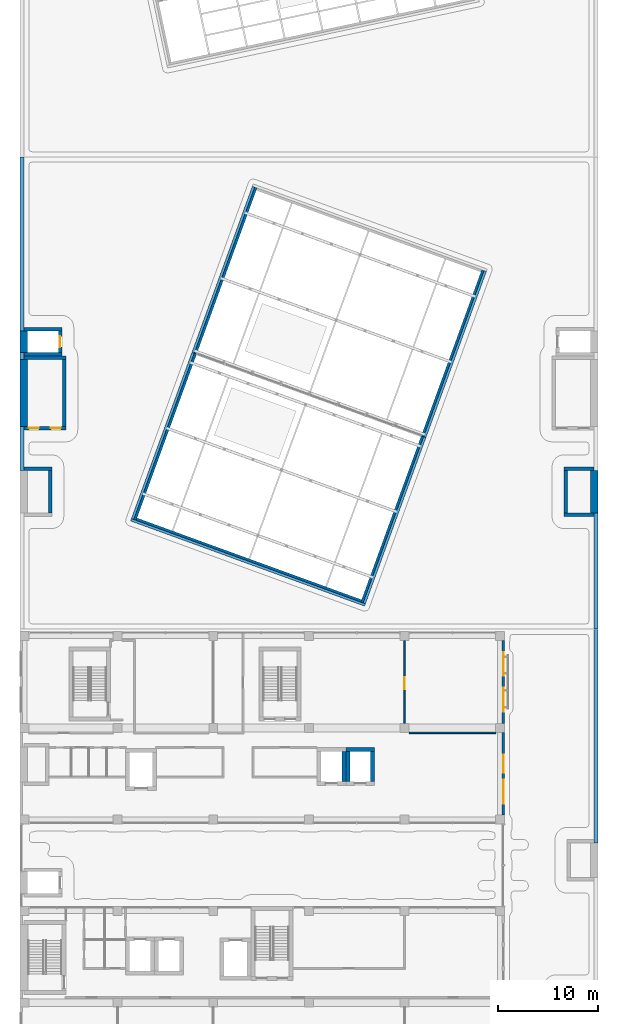
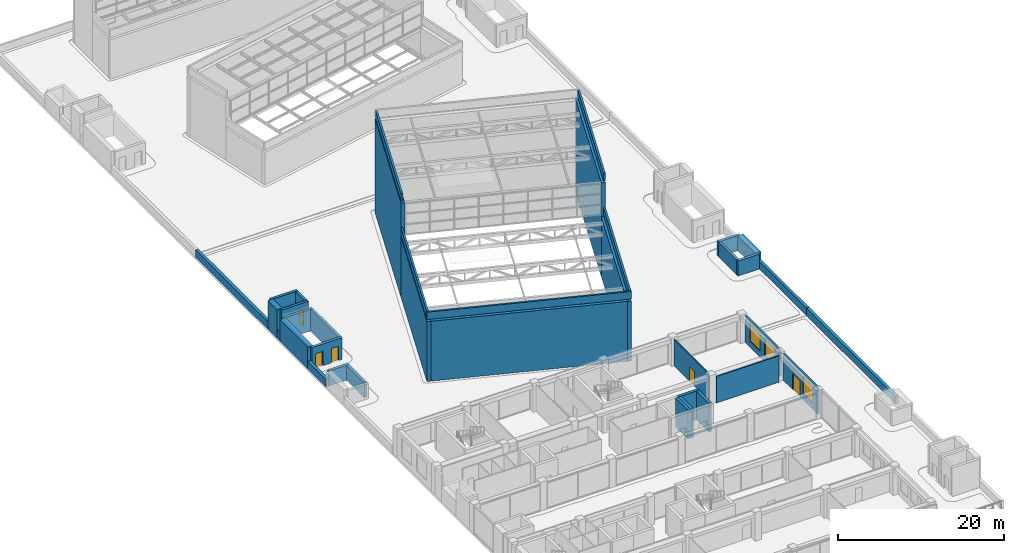
# One storey, part 62 of 72: 37 walls, 5 doors, 3 windows, 8 openings.
"""IFC4 building model written with IfcOpenShell, lengths in metres."""

from ifc_helpers import new_model, si_unit, direction, frame, frame_2d, origin, place, context, subcontext, project, spatial, rectangle, extrude, material, layer, layer_set, layer_usage, type_object, element, fill, save


model = new_model("IFC4")

# Units and contexts
model_context = context("Model", 3, precision=1e-05, world=origin(), true_north=direction((0.0, 1.0)))
body_context = subcontext(model_context, "Body", "Model", "MODEL_VIEW")
ifc_project = project(units=[si_unit("LENGTHUNIT", "METRE"), si_unit("AREAUNIT", "SQUARE_METRE"), si_unit("VOLUMEUNIT", "CUBIC_METRE"), si_unit("PLANEANGLEUNIT", "RADIAN"), si_unit("MASSUNIT", "GRAM", prefix="KILO")], contexts=[model_context])

# Site, building, storey
site_placement = place(None, origin())
site = spatial("IfcSite", under=ifc_project, at=site_placement, CompositionType="ELEMENT")
building_placement = place(site_placement, origin())
building = spatial("IfcBuilding", under=site, at=building_placement, Name="Nzadi Deep Aquarium and Research Tower", CompositionType="ELEMENT")
storey_placement = place(building_placement, frame((0.0, 0.0, 31.89990234375)))
storey = spatial("IfcBuildingStorey", under=building, at=storey_placement, Name="L05", CompositionType="ELEMENT", Elevation=31.89990234375)

# Wall, openings, windows
ifc_material_1 = material(Name="Concrete C35/45", Category="concrete")
ifc_layer_1 = layer(ifc_material_1, 0.14990234375, Category="cladding")
ifc_material_2 = material(Name="Mineral wool insulation")
ifc_layer_2 = layer(ifc_material_2, 0.070068359375, Category="insulation")
ifc_material_3 = material(Name="Gypsum board lining")
ifc_layer_3 = layer(ifc_material_3, 0.030029296875, Category="lining")
ifc_layer_set_1 = layer_set([ifc_layer_1, ifc_layer_2, ifc_layer_3], Name="Concrete C35/45, Mineral wool insulation, Gypsum board lining")
ifc_layer_usage_1 = layer_usage(ifc_layer_set_1, "AXIS2", "POSITIVE", -0.125)
wall_type_1 = type_object("IfcWallType", Name="End wall board-formed concrete 250", PredefinedType="ELEMENTEDWALL", material=ifc_layer_set_1)
wall_1_placement = place(storey_placement, frame((48.324951171875, 37.25, 0.0), z_axis=(0.0, 0.0, 1.0), x_axis=(0.0, 1.0, 0.0)))
wall_1 = element("IfcWall", 1, at=wall_1_placement, inside=storey, type_object=wall_type_1, material=ifc_layer_usage_1, Name="End wall blade B east L05", PredefinedType="ELEMENTEDWALL", context=body_context, shape_type="SweptSolid", body=[
    extrude(rectangle(XDim=8.300048828125, YDim=0.25, at=frame_2d((4.14990234375, 0.0))), origin(), (0.0, 0.0, 1.0), 3.900146484375),
])
opening_1_placement = place(wall_1_placement, frame((1.14990234375, 0.0, 0.89990234375)))
opening_1 = element("IfcOpeningElement", 2, at=opening_1_placement, cuts=wall_1, Name="Opening WN07", PredefinedType="OPENING", context=body_context, shape_type="SweptSolid", body=[
    extrude(rectangle(XDim=2.39990234375, YDim=2.60009765625, at=frame_2d((1.199951171875, 1.300048828125))), frame((0.0, 0.135009765625, 0.0), z_axis=(0.0, -1.0, 0.0), x_axis=(1.0, 0.0, 0.0)), (0.0, 0.0, 1.0), 0.27001953125),
])
opening_2_placement = place(wall_1_placement, frame((4.75, 0.0, 0.89990234375)))
opening_2 = element("IfcOpeningElement", 3, at=opening_2_placement, cuts=wall_1, Name="Opening WN07", PredefinedType="OPENING", context=body_context, shape_type="SweptSolid", body=[
    extrude(rectangle(XDim=2.39990234375, YDim=2.60009765625, at=frame_2d((1.199951171875, 1.300048828125))), frame((0.0, 0.135009765625, 0.0), z_axis=(0.0, -1.0, 0.0), x_axis=(1.0, 0.0, 0.0)), (0.0, 0.0, 1.0), 0.27001953125),
])
ifc_material_4 = material(Name="Aluminium window, sage tint glazing", Category="aluminium")
window_type = type_object("IfcWindowType", Name="Slot window 2400x2600 sill 900", PartitioningType="SINGLE_PANEL", PredefinedType="WINDOW", material=ifc_material_4)
window_1_placement = place(opening_1_placement, origin())
window_1 = element("IfcWindow", 4, at=window_1_placement, inside=storey, type_object=window_type, Name="Slot window L05 BE", OverallHeight=2.60009765625, OverallWidth=2.39990234375, PartitioningType="SINGLE_PANEL", PredefinedType="WINDOW", context=body_context, shape_type="SweptSolid", body=[
    extrude(rectangle(XDim=2.39990234375, YDim=2.60009765625, at=frame_2d((1.199951171875, 1.300048828125))), frame((0.0, 0.030029296875, 0.0), z_axis=(0.0, -1.0, 0.0), x_axis=(1.0, 0.0, 0.0)), (0.0, 0.0, 1.0), 0.06005859375),
])
fill(opening_1, window_1)
window_2_placement = place(opening_2_placement, origin())
window_2 = element("IfcWindow", 5, at=window_2_placement, inside=storey, type_object=window_type, Name="Slot window L05 BE", OverallHeight=2.60009765625, OverallWidth=2.39990234375, PartitioningType="SINGLE_PANEL", PredefinedType="WINDOW", context=body_context, shape_type="SweptSolid", body=[
    extrude(rectangle(XDim=2.39990234375, YDim=2.60009765625, at=frame_2d((1.199951171875, 1.300048828125))), frame((0.0, 0.030029296875, 0.0), z_axis=(0.0, -1.0, 0.0), x_axis=(1.0, 0.0, 0.0)), (0.0, 0.0, 1.0), 0.06005859375),
])
fill(opening_2, window_2)

# Wall, openings, window, door
ifc_material_5 = material(Name="Graphite aluminium shingle", Category="aluminium")
ifc_layer_4 = layer(ifc_material_5, 0.050048828125, Category="cladding")
ifc_layer_5 = layer(ifc_material_1, 0.10009765625, Category="cladding")
ifc_layer_6 = layer(ifc_material_2, 0.070068359375, Category="insulation")
ifc_layer_7 = layer(ifc_material_3, 0.030029296875, Category="lining")
ifc_layer_set_2 = layer_set([ifc_layer_4, ifc_layer_5, ifc_layer_6, ifc_layer_7], Name="Graphite aluminium shingle, Concrete C35/45, Mineral wool insulation, Gypsum board lining")
ifc_layer_usage_2 = layer_usage(ifc_layer_set_2, "AXIS2", "POSITIVE", -0.125)
wall_type_2 = type_object("IfcWallType", Name="End wall shingle over board-formed concrete 250", PredefinedType="ELEMENTEDWALL", material=ifc_layer_set_2)
wall_2_placement = place(storey_placement, frame((48.324951171875, 28.050048828125, 0.0), z_axis=(0.0, 0.0, 1.0), x_axis=(0.0, 1.0, 0.0)))
wall_2 = element("IfcWall", 6, at=wall_2_placement, inside=storey, type_object=wall_type_2, material=ifc_layer_usage_2, Name="End wall blade B east L05", PredefinedType="ELEMENTEDWALL", context=body_context, shape_type="SweptSolid", body=[
    extrude(rectangle(XDim=8.300048828125, YDim=0.25, at=frame_2d((4.14990234375, 0.0))), origin(), (0.0, 0.0, 1.0), 3.900146484375),
])
opening_3_placement = place(wall_2_placement, frame((4.25, 0.0, 0.0)))
opening_3 = element("IfcOpeningElement", 7, at=opening_3_placement, cuts=wall_2, Name="Opening DE005", PredefinedType="OPENING", context=body_context, shape_type="SweptSolid", body=[
    extrude(rectangle(XDim=1.800048828125, YDim=2.39990234375, at=frame_2d((0.89990234375, 1.199951171875))), frame((0.0, 0.135009765625, 0.0), z_axis=(0.0, -1.0, 0.0), x_axis=(1.0, 0.0, 0.0)), (0.0, 0.0, 1.0), 0.27001953125),
])
opening_4_placement = place(wall_2_placement, frame((1.14990234375, 0.0, 0.89990234375)))
opening_4 = element("IfcOpeningElement", 8, at=opening_4_placement, cuts=wall_2, Name="Opening WN07", PredefinedType="OPENING", context=body_context, shape_type="SweptSolid", body=[
    extrude(rectangle(XDim=2.39990234375, YDim=2.60009765625, at=frame_2d((1.199951171875, 1.300048828125))), frame((0.0, 0.135009765625, 0.0), z_axis=(0.0, -1.0, 0.0), x_axis=(1.0, 0.0, 0.0)), (0.0, 0.0, 1.0), 0.27001953125),
])
window_3_placement = place(opening_4_placement, origin())
window_3 = element("IfcWindow", 9, at=window_3_placement, inside=storey, type_object=window_type, Name="Slot window L05 BE", OverallHeight=2.60009765625, OverallWidth=2.39990234375, PartitioningType="SINGLE_PANEL", PredefinedType="WINDOW", context=body_context, shape_type="SweptSolid", body=[
    extrude(rectangle(XDim=2.39990234375, YDim=2.60009765625, at=frame_2d((1.199951171875, 1.300048828125))), frame((0.0, 0.030029296875, 0.0), z_axis=(0.0, -1.0, 0.0), x_axis=(1.0, 0.0, 0.0)), (0.0, 0.0, 1.0), 0.06005859375),
])
fill(opening_4, window_3)
ifc_material_6 = material(Name="Aluminium framed glazing", Category="aluminium")
door_type_1 = type_object("IfcDoorType", Name="Terrace double door 1800x2400", OperationType="DOUBLE_DOOR_SINGLE_SWING", PredefinedType="DOOR", material=ifc_material_6)
door_1_placement = place(opening_3_placement, frame((1.800048828125, 0.0, 0.0), z_axis=(0.0, 0.0, 1.0), x_axis=(-1.0, 0.0, 0.0)))
door_1 = element("IfcDoor", 10, at=door_1_placement, inside=storey, type_object=door_type_1, Name="Terrace door L05", OperationType="DOUBLE_DOOR_SINGLE_SWING", OverallHeight=2.39990234375, OverallWidth=1.800048828125, PredefinedType="DOOR", context=body_context, shape_type="SweptSolid", body=[
    extrude(rectangle(XDim=1.800048828125, YDim=2.39990234375, at=frame_2d((0.89990234375, 1.199951171875))), frame((0.0, 0.02490234375, 0.0), z_axis=(0.0, -1.0, 0.0), x_axis=(1.0, 0.0, 0.0)), (0.0, 0.0, 1.0), 0.050048828125),
])
fill(opening_3, door_1)

# Walls
ifc_layer_8 = layer(ifc_material_5, 0.050048828125, Category="cladding")
ifc_layer_9 = layer(ifc_material_1, 0.199951171875, Category="structure")
ifc_layer_set_3 = layer_set([ifc_layer_8, ifc_layer_9], Name="Graphite aluminium shingle, Concrete C35/45")
ifc_layer_usage_3 = layer_usage(ifc_layer_set_3, "AXIS2", "POSITIVE", -0.125)
wall_type_3 = type_object("IfcWallType", Name="Parapet board-formed concrete 250 prism north roof", PredefinedType="PARAPET", material=ifc_layer_set_3)
wall_3_placement = place(storey_placement, frame((40.4287109375, 65.967529296875, 14.10009765625), z_axis=(0.0, 0.0, 1.0), x_axis=(0.342019142112, 0.939692985197, 0.0)))
element("IfcWall", 11, at=wall_3_placement, inside=storey, type_object=wall_type_3, material=ifc_layer_usage_3, Name="Parapet", PredefinedType="PARAPET", context=body_context, shape_type="SweptSolid", body=[
    extrude(rectangle(XDim=17.75, YDim=0.25, at=frame_2d((8.875, 0.0))), origin(), (0.0, 0.0, 1.0), 1.10009765625),
])
ifc_layer_usage_4 = layer_usage(ifc_layer_set_3, "AXIS2", "POSITIVE", -0.125)
wall_4_placement = place(storey_placement, frame((23.2421875, 91.112060546875, 14.10009765625), z_axis=(0.0, 0.0, 1.0), x_axis=(-0.342019142112, -0.939692985197, 0.0)))
element("IfcWall", 12, at=wall_4_placement, inside=storey, type_object=wall_type_3, material=ifc_layer_usage_4, Name="Parapet", PredefinedType="PARAPET", context=body_context, shape_type="SweptSolid", body=[
    extrude(rectangle(XDim=17.75, YDim=0.25, at=frame_2d((8.875, 0.0))), origin(), (0.0, 0.0, 1.0), 1.10009765625),
])
ifc_layer_10 = layer(ifc_material_5, 0.050048828125, Category="cladding")
ifc_layer_11 = layer(ifc_material_1, 0.199951171875, Category="structure")
ifc_layer_set_4 = layer_set([ifc_layer_10, ifc_layer_11], Name="Graphite aluminium shingle, Concrete C35/45")
ifc_layer_usage_5 = layer_usage(ifc_layer_set_4, "AXIS2", "POSITIVE", -0.125)
wall_type_4 = type_object("IfcWallType", Name="Parapet board-formed concrete 250 prism south roof", PredefinedType="PARAPET", material=ifc_layer_set_4)
wall_5_placement = place(storey_placement, frame((10.940185546875, 57.67822265625, 9.10009765625), z_axis=(0.0, 0.0, 1.0), x_axis=(0.939692733123, -0.342019834681, 0.0)))
element("IfcWall", 13, at=wall_5_placement, inside=storey, type_object=wall_type_4, material=ifc_layer_usage_5, Name="Parapet", PredefinedType="PARAPET", context=body_context, shape_type="SweptSolid", body=[
    extrude(rectangle(XDim=25.0, YDim=0.25, at=frame_2d((12.5, 0.0))), origin(), (0.0, 0.0, 1.0), 1.10009765625),
])
ifc_layer_usage_6 = layer_usage(ifc_layer_set_4, "AXIS2", "POSITIVE", -0.125)
wall_6_placement = place(storey_placement, frame((34.35791015625, 49.2880859375, 9.10009765625), z_axis=(0.0, 0.0, 1.0), x_axis=(0.342019142112, 0.939692985197, 0.0)))
element("IfcWall", 14, at=wall_6_placement, inside=storey, type_object=wall_type_4, material=ifc_layer_usage_6, Name="Parapet", PredefinedType="PARAPET", context=body_context, shape_type="SweptSolid", body=[
    extrude(rectangle(XDim=17.75, YDim=0.25, at=frame_2d((8.875, 0.0))), origin(), (0.0, 0.0, 1.0), 1.10009765625),
])
ifc_layer_usage_7 = layer_usage(ifc_layer_set_4, "AXIS2", "POSITIVE", -0.125)
wall_7_placement = place(storey_placement, frame((17.17138671875, 74.4326171875, 9.10009765625), z_axis=(0.0, 0.0, 1.0), x_axis=(-0.342026866897, -0.939690173579, 0.0)))
element("IfcWall", 15, at=wall_7_placement, inside=storey, type_object=wall_type_4, material=ifc_layer_usage_7, Name="Parapet", PredefinedType="PARAPET", context=body_context, shape_type="SweptSolid", body=[
    extrude(rectangle(XDim=17.750244140625, YDim=0.25, at=frame_2d((8.875, 0.0))), origin(), (0.0, 0.0, 1.0), 1.10009765625),
])
ifc_layer_12 = layer(ifc_material_1, 0.39990234375, Category="structure")
ifc_layer_set_5 = layer_set([ifc_layer_12], Name="Concrete C35/45")
ifc_layer_usage_8 = layer_usage(ifc_layer_set_5, "AXIS2", "POSITIVE", -0.199951171875)
wall_type_5 = type_object("IfcWallType", Name="Parapet board-formed concrete 400 podium roof", PredefinedType="PARAPET", material=ifc_layer_set_5)
wall_8_placement = place(storey_placement, frame((57.599609375, 46.719970703125, 0.0), z_axis=(0.0, 0.0, 1.0), x_axis=(0.0, 1.0, 0.0)))
element("IfcWall", 16, at=wall_8_placement, inside=storey, type_object=wall_type_5, material=ifc_layer_usage_8, Name="Parapet", PredefinedType="PARAPET", context=body_context, shape_type="SweptSolid", body=[
    extrude(rectangle(XDim=11.630126953125, YDim=0.39990234375, at=frame_2d((5.81494140625, 0.0))), origin(), (0.0, 0.0, 1.0), 1.10009765625),
])
ifc_layer_usage_9 = layer_usage(ifc_layer_set_5, "AXIS2", "POSITIVE", -0.199951171875)
wall_9_placement = place(storey_placement, frame((0.00048828125, 67.050048828125, 0.0), z_axis=(0.0, 0.0, 1.0), x_axis=(0.0, -1.0, 0.0)))
element("IfcWall", 17, at=wall_9_placement, inside=storey, type_object=wall_type_5, material=ifc_layer_usage_9, Name="Parapet", PredefinedType="PARAPET", context=body_context, shape_type="SweptSolid", body=[
    extrude(rectangle(XDim=4.400146484375, YDim=0.39990234375, at=frame_2d((2.2001953125, 0.0))), origin(), (0.0, 0.0, 1.0), 1.10009765625),
])
ifc_layer_usage_10 = layer_usage(ifc_layer_set_5, "AXIS2", "POSITIVE", -0.199951171875)
wall_10_placement = place(storey_placement, frame((0.00048828125, 74.449951171875, 0.0), z_axis=(0.0, 0.0, 1.0), x_axis=(0.0, -1.0, 0.0)))
element("IfcWall", 18, at=wall_10_placement, inside=storey, type_object=wall_type_5, material=ifc_layer_usage_10, Name="Parapet", PredefinedType="PARAPET", context=body_context, shape_type="SweptSolid", body=[
    extrude(rectangle(XDim=0.699951171875, YDim=0.39990234375, at=frame_2d((0.35009765625, 0.0))), origin(), (0.0, 0.0, 1.0), 1.10009765625),
])
ifc_layer_usage_11 = layer_usage(ifc_layer_set_5, "AXIS2", "POSITIVE", -0.199951171875)
wall_11_placement = place(storey_placement, frame((0.00048828125, 94.080078125, 0.0), z_axis=(0.0, 0.0, 1.0), x_axis=(0.0, -1.0, 0.0)))
element("IfcWall", 19, at=wall_11_placement, inside=storey, type_object=wall_type_5, material=ifc_layer_usage_11, Name="Parapet", PredefinedType="PARAPET", context=body_context, shape_type="SweptSolid", body=[
    extrude(rectangle(XDim=17.43017578125, YDim=0.39990234375, at=frame_2d((8.715087890625, 0.0))), origin(), (0.0, 0.0, 1.0), 1.10009765625),
])
ifc_layer_usage_12 = layer_usage(ifc_layer_set_5, "AXIS2", "POSITIVE", -0.199951171875)
wall_12_placement = place(storey_placement, frame((57.599609375, 25.25, 0.0), z_axis=(0.0, 0.0, 1.0), x_axis=(0.0, 1.0, 0.0)))
element("IfcWall", 20, at=wall_12_placement, inside=storey, type_object=wall_type_5, material=ifc_layer_usage_12, Name="Parapet", PredefinedType="PARAPET", context=body_context, shape_type="SweptSolid", body=[
    extrude(rectangle(XDim=21.429931640625, YDim=0.39990234375, at=frame_2d((10.71484375, 0.0))), origin(), (0.0, 0.0, 1.0), 1.10009765625),
])

# Wall, opening, door
ifc_material_7 = material(Name="Blockwork masonry", Category="masonry")
ifc_layer_13 = layer(ifc_material_7, 0.14990234375)
ifc_layer_set_6 = layer_set([ifc_layer_13], Name="Blockwork masonry")
wall_type_6 = type_object("IfcWallType", Name="Partition 150 EI 60", PredefinedType="PARTITIONING", material=ifc_layer_set_6)
wall_13_placement = place(storey_placement, frame((38.39990234375, 37.25, 0.0), z_axis=(0.0, 0.0, 1.0), x_axis=(0.0, 1.0, 0.0)))
wall_13 = element("IfcWall", 21, at=wall_13_placement, inside=storey, type_object=wall_type_6, Name="W-Z1-L05-P034", PredefinedType="PARTITIONING", context=body_context, shape_type="SweptSolid", body=[
    extrude(rectangle(XDim=8.300048828125, YDim=0.14990234375, at=frame_2d((4.14990234375, 0.0))), origin(), (0.0, 0.0, 1.0), 3.900146484375),
])
opening_5_placement = place(wall_13_placement, frame((3.39990234375, 0.0, 0.0)))
opening_5 = element("IfcOpeningElement", 22, at=opening_5_placement, cuts=wall_13, Name="Opening D061019", PredefinedType="OPENING", context=body_context, shape_type="SweptSolid", body=[
    extrude(rectangle(XDim=1.199951171875, YDim=2.10009765625, at=frame_2d((0.60009765625, 1.050048828125))), frame((0.0, 0.0849609375, 0.0), z_axis=(0.0, -1.0, 0.0), x_axis=(1.0, 0.0, 0.0)), (0.0, 0.0, 1.0), 0.169921875),
])
ifc_material_8 = material(Name="Fire-rated steel door", Category="steel")
ifc_layer_14 = layer(ifc_material_8, 0.050048828125)
ifc_layer_set_7 = layer_set([ifc_layer_14], Name="Fire-rated steel door")
door_type_2 = type_object("IfcDoorType", Name="Door 1200x2100 EI 60 single", OperationType="SINGLE_SWING_LEFT", PredefinedType="DOOR", material=ifc_layer_set_7)
door_2_placement = place(opening_5_placement, origin())
door_2 = element("IfcDoor", 23, at=door_2_placement, inside=storey, type_object=door_type_2, Name="D061019", OperationType="SINGLE_SWING_LEFT", OverallHeight=2.10009765625, OverallWidth=1.199951171875, PredefinedType="DOOR", context=body_context, shape_type="SweptSolid", body=[
    extrude(rectangle(XDim=1.199951171875, YDim=2.10009765625, at=frame_2d((0.60009765625, 1.050048828125))), frame((0.0, 0.02490234375, 0.0), z_axis=(0.0, -1.0, 0.0), x_axis=(1.0, 0.0, 0.0)), (0.0, 0.0, 1.0), 0.050048828125),
])
fill(opening_5, door_2)

# Walls
wall_14_placement = place(storey_placement, frame((38.85009765625, 36.300048828125, 0.0), z_axis=(0.0, 0.0, 1.0), x_axis=(1.0, 0.0, 0.0)))
element("IfcWall", 24, at=wall_14_placement, inside=storey, type_object=wall_type_6, Name="W-Z1-L05-P036", PredefinedType="PARTITIONING", context=body_context, shape_type="SweptSolid", body=[
    extrude(rectangle(XDim=8.699951171875, YDim=0.14990234375, at=frame_2d((4.35009765625, 0.0))), origin(), (0.0, 0.0, 1.0), 3.900146484375),
])
ifc_material_9 = material(Name="Concrete C35/45", Category="concrete")
ifc_layer_15 = layer(ifc_material_9, 0.35009765625)
ifc_layer_set_8 = layer_set([ifc_layer_15], Name="Concrete C35/45")
wall_type_7 = type_object("IfcWallType", Name="RC core wall 350", PredefinedType="SHEAR", material=ifc_layer_set_8)
for number, where, z_axis, x_axis, name in (
    (25, (0.199951171875, 74.27490234375, 0.0), (0.0, 0.0, 1.0), (1.0, 0.0, 0.0), "W-CORE-PL3-L05-S"),
    (26, (0.199951171875, 76.824951171875, 0.0), (0.0, 0.0, 1.0), (1.0, 0.0, 0.0), "W-CORE-PL3-L05-N"),
):
    element("IfcWall", number, at=place(storey_placement, frame(where, z_axis=z_axis, x_axis=x_axis)), inside=storey, type_object=wall_type_7, Name=name, PredefinedType="SHEAR", context=body_context, shape_type="SweptSolid", body=[
        extrude(rectangle(XDim=3.800048828125, YDim=0.35009765625, at=frame_2d((1.89990234375, 0.0))), origin(), (0.0, 0.0, 1.0), 4.2001953125),
    ])

# Wall, opening, door
wall_15_placement = place(storey_placement, frame((3.824951171875, 74.449951171875, 0.0), z_axis=(0.0, 0.0, 1.0), x_axis=(0.0, 1.0, 0.0)))
wall_15 = element("IfcWall", 27, at=wall_15_placement, inside=storey, type_object=wall_type_7, Name="W-CORE-PL3-L05-E", PredefinedType="SHEAR", context=body_context, shape_type="SweptSolid", body=[
    extrude(rectangle(XDim=2.199951171875, YDim=0.35009765625, at=frame_2d((1.10009765625, 0.0))), origin(), (0.0, 0.0, 1.0), 4.2001953125),
])
opening_6_placement = place(wall_15_placement, frame((0.550048828125, 0.0, 0.0)))
opening_6 = element("IfcOpeningElement", 28, at=opening_6_placement, cuts=wall_15, Name="Opening LD-PL3-L05", PredefinedType="OPENING", context=body_context, shape_type="SweptSolid", body=[
    extrude(rectangle(XDim=1.10009765625, YDim=2.10009765625, at=frame_2d((0.550048828125, 1.050048828125))), frame((0.0, 0.18505859375, 0.0), z_axis=(0.0, -1.0, 0.0), x_axis=(1.0, 0.0, 0.0)), (0.0, 0.0, 1.0), 0.3701171875),
])
ifc_material_10 = material(Name="Stainless steel 1.4301", Category="steel")
door_type_3 = type_object("IfcDoorType", Name="LANDING DOOR 1100x2100", OperationType="DOUBLE_DOOR_SLIDING", PredefinedType="DOOR", material=ifc_material_10)
door_3_placement = place(opening_6_placement, origin())
door_3 = element("IfcDoor", 29, at=door_3_placement, inside=storey, type_object=door_type_3, Name="Landing door PL3 L05", OperationType="DOUBLE_DOOR_SLIDING", OverallHeight=2.10009765625, OverallWidth=1.10009765625, PredefinedType="DOOR", context=body_context, shape_type="SweptSolid", body=[
    extrude(rectangle(XDim=1.10009765625, YDim=2.10009765625, at=frame_2d((0.550048828125, 1.050048828125))), frame((0.0, 0.02490234375, 0.0), z_axis=(0.0, -1.0, 0.0), x_axis=(1.0, 0.0, 0.0)), (0.0, 0.0, 1.0), 0.050048828125),
])
fill(opening_6, door_3)

# Walls
ifc_material_11 = material(Name="Concrete C35/45", Category="concrete")
ifc_layer_16 = layer(ifc_material_11, 0.35009765625)
ifc_layer_set_9 = layer_set([ifc_layer_16], Name="Concrete C35/45")
wall_type_8 = type_object("IfcWallType", Name="RC core wall 350, 2.20 m high", PredefinedType="SHEAR", material=ifc_layer_set_9)
wall_16_placement = place(storey_placement, frame((0.199951171875, 62.824951171875, 0.0), z_axis=(0.0, 0.0, 1.0), x_axis=(1.0, 0.0, 0.0)))
element("IfcWall", 30, at=wall_16_placement, inside=storey, type_object=wall_type_8, Name="W-CORE-RS-Z2-W-L05-N", PredefinedType="SHEAR", context=body_context, shape_type="SweptSolid", body=[
    extrude(rectangle(XDim=2.800048828125, YDim=0.35009765625, at=frame_2d((1.39990234375, 0.0))), origin(), (0.0, 0.0, 1.0), 2.2001953125),
])
wall_17_placement = place(storey_placement, frame((2.824951171875, 58.35009765625, 0.0), z_axis=(0.0, 0.0, 1.0), x_axis=(0.0, 1.0, 0.0)))
element("IfcWall", 31, at=wall_17_placement, inside=storey, type_object=wall_type_8, Name="W-CORE-RS-Z2-W-L05-E", PredefinedType="SHEAR", context=body_context, shape_type="SweptSolid", body=[
    extrude(rectangle(XDim=4.2998046875, YDim=0.35009765625, at=frame_2d((2.14990234375, 0.0))), origin(), (0.0, 0.0, 1.0), 2.2001953125),
])
for number, where, z_axis, x_axis, name in (
    (32, (54.39990234375, 58.175048828125, 0.0), (0.0, 0.0, 1.0), (1.0, 0.0, 0.0), "W-CORE-RS-Z2-E-L05-S"),
    (33, (54.39990234375, 62.824951171875, 0.0), (0.0, 0.0, 1.0), (1.0, 0.0, 0.0), "W-CORE-RS-Z2-E-L05-N"),
):
    element("IfcWall", number, at=place(storey_placement, frame(where, z_axis=z_axis, x_axis=x_axis)), inside=storey, type_object=wall_type_8, Name=name, PredefinedType="SHEAR", context=body_context, shape_type="SweptSolid", body=[
        extrude(rectangle(XDim=3.0, YDim=0.35009765625, at=frame_2d((1.5, 0.0))), origin(), (0.0, 0.0, 1.0), 2.2001953125),
    ])
wall_18_placement = place(storey_placement, frame((54.574951171875, 58.35009765625, 0.0), z_axis=(0.0, 0.0, 1.0), x_axis=(0.0, 1.0, 0.0)))
element("IfcWall", 34, at=wall_18_placement, inside=storey, type_object=wall_type_8, Name="W-CORE-RS-Z2-E-L05-W", PredefinedType="SHEAR", context=body_context, shape_type="SweptSolid", body=[
    extrude(rectangle(XDim=4.2998046875, YDim=0.35009765625, at=frame_2d((2.14990234375, 0.0))), origin(), (0.0, 0.0, 1.0), 2.2001953125),
])

# Wall, openings, doors
ifc_material_12 = material(Name="Concrete C35/45", Category="concrete")
ifc_layer_17 = layer(ifc_material_12, 0.35009765625)
ifc_layer_set_10 = layer_set([ifc_layer_17], Name="Concrete C35/45")
wall_type_9 = type_object("IfcWallType", Name="RC core wall 350, 3.20 m high", PredefinedType="SHEAR", material=ifc_layer_set_10)
wall_19_placement = place(storey_placement, frame((0.199951171875, 66.875, 0.0), z_axis=(0.0, 0.0, 1.0), x_axis=(1.0, 0.0, 0.0)))
wall_19 = element("IfcWall", 35, at=wall_19_placement, inside=storey, type_object=wall_type_9, Name="W-CORE-ST-Z2-W-L05-S", PredefinedType="SHEAR", context=body_context, shape_type="SweptSolid", body=[
    extrude(rectangle(XDim=4.199951171875, YDim=0.35009765625, at=frame_2d((2.10009765625, 0.0))), origin(), (0.0, 0.0, 1.0), 3.2001953125),
])
opening_7_placement = place(wall_19_placement, frame((0.5, 0.0, 0.0)))
opening_7 = element("IfcOpeningElement", 36, at=opening_7_placement, cuts=wall_19, Name="Opening DS-Z2-W-L05A", PredefinedType="OPENING", context=body_context, shape_type="SweptSolid", body=[
    extrude(rectangle(XDim=1.0, YDim=2.10009765625, at=frame_2d((0.5, 1.050048828125))), frame((0.0, 0.18505859375, 0.0), z_axis=(0.0, -1.0, 0.0), x_axis=(1.0, 0.0, 0.0)), (0.0, 0.0, 1.0), 0.3701171875),
])
opening_8_placement = place(wall_19_placement, frame((2.699951171875, 0.0, 0.0)))
opening_8 = element("IfcOpeningElement", 37, at=opening_8_placement, cuts=wall_19, Name="Opening DS-Z2-W-L05B", PredefinedType="OPENING", context=body_context, shape_type="SweptSolid", body=[
    extrude(rectangle(XDim=1.0, YDim=2.10009765625, at=frame_2d((0.5, 1.050048828125))), frame((0.0, 0.18505859375, 0.0), z_axis=(0.0, -1.0, 0.0), x_axis=(1.0, 0.0, 0.0)), (0.0, 0.0, 1.0), 0.3701171875),
])
ifc_material_13 = material(Name="Steel, powder coated", Category="steel")
door_type_4 = type_object("IfcDoorType", Name="STAIR DOOR 1000x2100 EI 60", OperationType="SINGLE_SWING_LEFT", PredefinedType="DOOR", material=ifc_material_13)
door_4_placement = place(opening_7_placement, frame((1.0, 0.0, 0.0), z_axis=(0.0, 0.0, 1.0), x_axis=(-1.0, 0.0, 0.0)))
door_4 = element("IfcDoor", 38, at=door_4_placement, inside=storey, type_object=door_type_4, Name="Stair door ST-Z2-W head-house A", OperationType="SINGLE_SWING_LEFT", OverallHeight=2.10009765625, OverallWidth=1.0, PredefinedType="DOOR", context=body_context, shape_type="SweptSolid", body=[
    extrude(rectangle(XDim=1.0, YDim=2.10009765625, at=frame_2d((0.5, 1.050048828125))), frame((0.0, 0.02490234375, 0.0), z_axis=(0.0, -1.0, 0.0), x_axis=(1.0, 0.0, 0.0)), (0.0, 0.0, 1.0), 0.050048828125),
])
fill(opening_7, door_4)
door_5_placement = place(opening_8_placement, frame((1.0, 0.0, 0.0), z_axis=(0.0, 0.0, 1.0), x_axis=(-1.0, 0.0, 0.0)))
door_5 = element("IfcDoor", 39, at=door_5_placement, inside=storey, type_object=door_type_4, Name="Stair door ST-Z2-W head-house B", OperationType="SINGLE_SWING_RIGHT", OverallHeight=2.10009765625, OverallWidth=1.0, PredefinedType="DOOR", context=body_context, shape_type="SweptSolid", body=[
    extrude(rectangle(XDim=1.0, YDim=2.10009765625, at=frame_2d((0.5, 1.050048828125))), frame((0.0, 0.02490234375, 0.0), z_axis=(0.0, -1.0, 0.0), x_axis=(1.0, 0.0, 0.0)), (0.0, 0.0, 1.0), 0.050048828125),
])
fill(opening_8, door_5)

# Walls
wall_20_placement = place(storey_placement, frame((0.199951171875, 73.925048828125, 0.0), z_axis=(0.0, 0.0, 1.0), x_axis=(1.0, 0.0, 0.0)))
element("IfcWall", 40, at=wall_20_placement, inside=storey, type_object=wall_type_9, Name="W-CORE-ST-Z2-W-L05-N", PredefinedType="SHEAR", context=body_context, shape_type="SweptSolid", body=[
    extrude(rectangle(XDim=4.199951171875, YDim=0.35009765625, at=frame_2d((2.10009765625, 0.0))), origin(), (0.0, 0.0, 1.0), 3.2001953125),
])
wall_21_placement = place(storey_placement, frame((4.22509765625, 67.050048828125, 0.0), z_axis=(0.0, 0.0, 1.0), x_axis=(0.0, 1.0, 0.0)))
element("IfcWall", 41, at=wall_21_placement, inside=storey, type_object=wall_type_9, Name="W-CORE-ST-Z2-W-L05-E", PredefinedType="SHEAR", context=body_context, shape_type="SweptSolid", body=[
    extrude(rectangle(XDim=6.699951171875, YDim=0.35009765625, at=frame_2d((3.35009765625, 0.0))), origin(), (0.0, 0.0, 1.0), 3.2001953125),
])
ifc_material_14 = material(Name="Concrete C35/45", Category="concrete")
ifc_layer_18 = layer(ifc_material_14, 0.39990234375)
ifc_layer_set_11 = layer_set([ifc_layer_18], Name="Concrete C35/45")
wall_type_10 = type_object("IfcWallType", Name="RC core wall 400", PredefinedType="SHEAR", material=ifc_layer_set_11)
wall_22_placement = place(storey_placement, frame((32.300048828125, 31.39990234375, 0.0), z_axis=(0.0, 0.0, 1.0), x_axis=(0.0, 1.0, 0.0)))
element("IfcWall", 42, at=wall_22_placement, inside=storey, type_object=wall_type_10, Name="W-CORE-TL3-L05-E", PredefinedType="SHEAR", context=body_context, shape_type="SweptSolid", body=[
    extrude(rectangle(XDim=3.0, YDim=0.39990234375, at=frame_2d((1.5, 0.0))), origin(), (0.0, 0.0, 1.0), 4.2001953125),
])
wall_23_placement = place(storey_placement, frame((32.5, 34.60009765625, 0.0), z_axis=(0.0, 0.0, 1.0), x_axis=(1.0, 0.0, 0.0)))
element("IfcWall", 43, at=wall_23_placement, inside=storey, type_object=wall_type_10, Name="W-CORE-TL4-L05-N", PredefinedType="SHEAR", context=body_context, shape_type="SweptSolid", body=[
    extrude(rectangle(XDim=2.89990234375, YDim=0.39990234375, at=frame_2d((1.449951171875, 0.0))), origin(), (0.0, 0.0, 1.0), 4.2001953125),
])
for number, where, z_axis, x_axis, name in (
    (44, (32.699951171875, 31.39990234375, 0.0), (0.0, 0.0, 1.0), (0.0, 1.0, 0.0), "W-CORE-TL4-L05-W"),
    (45, (35.199951171875, 31.39990234375, 0.0), (0.0, 0.0, 1.0), (0.0, 1.0, 0.0), "W-CORE-TL4-L05-E"),
):
    element("IfcWall", number, at=place(storey_placement, frame(where, z_axis=z_axis, x_axis=x_axis)), inside=storey, type_object=wall_type_10, Name=name, PredefinedType="SHEAR", context=body_context, shape_type="SweptSolid", body=[
        extrude(rectangle(XDim=3.0, YDim=0.39990234375, at=frame_2d((1.5, 0.0))), origin(), (0.0, 0.0, 1.0), 4.2001953125),
    ])
ifc_material_15 = material(Name="Concrete C35/45", Category="concrete")
ifc_layer_19 = layer(ifc_material_15, 0.75)
ifc_layer_set_12 = layer_set([ifc_layer_19], Name="Concrete C35/45")
wall_type_11 = type_object("IfcWallType", Name="RC core wall 750", PredefinedType="SHEAR", material=ifc_layer_set_12)
wall_24_placement = place(storey_placement, frame((0.175537109375, 74.449951171875, 0.0), z_axis=(0.0, 0.0, 1.0), x_axis=(0.0, 1.0, 0.0)))
element("IfcWall", 46, at=wall_24_placement, inside=storey, type_object=wall_type_11, Name="W-CORE-PL3-L05-W", PredefinedType="SHEAR", context=body_context, shape_type="SweptSolid", body=[
    extrude(rectangle(XDim=2.199951171875, YDim=0.75, at=frame_2d((1.10009765625, 0.0))), origin(), (0.0, 0.0, 1.0), 4.2001953125),
])
ifc_material_16 = material(Name="Concrete C35/45", Category="concrete")
ifc_layer_20 = layer(ifc_material_16, 0.75)
ifc_layer_set_13 = layer_set([ifc_layer_20], Name="Concrete C35/45")
wall_type_12 = type_object("IfcWallType", Name="RC core wall 750, 2.20 m high", PredefinedType="SHEAR", material=ifc_layer_set_13)
wall_25_placement = place(storey_placement, frame((57.424560546875, 58.35009765625, 0.0), z_axis=(0.0, 0.0, 1.0), x_axis=(0.0, 1.0, 0.0)))
element("IfcWall", 47, at=wall_25_placement, inside=storey, type_object=wall_type_12, Name="W-CORE-RS-Z2-E-L05-E", PredefinedType="SHEAR", context=body_context, shape_type="SweptSolid", body=[
    extrude(rectangle(XDim=4.2998046875, YDim=0.75, at=frame_2d((2.14990234375, 0.0))), origin(), (0.0, 0.0, 1.0), 2.2001953125),
])
ifc_material_17 = material(Name="Concrete C35/45", Category="concrete")
ifc_layer_21 = layer(ifc_material_17, 0.75)
ifc_layer_set_14 = layer_set([ifc_layer_21], Name="Concrete C35/45")
wall_type_13 = type_object("IfcWallType", Name="RC core wall 750, 3.20 m high", PredefinedType="SHEAR", material=ifc_layer_set_14)
wall_26_placement = place(storey_placement, frame((0.175537109375, 67.050048828125, 0.0), z_axis=(0.0, 0.0, 1.0), x_axis=(0.0, 1.0, 0.0)))
element("IfcWall", 48, at=wall_26_placement, inside=storey, type_object=wall_type_13, Name="W-CORE-ST-Z2-W-L05-W", PredefinedType="SHEAR", context=body_context, shape_type="SweptSolid", body=[
    extrude(rectangle(XDim=6.699951171875, YDim=0.75, at=frame_2d((3.35009765625, 0.0))), origin(), (0.0, 0.0, 1.0), 3.2001953125),
])
ifc_layer_22 = layer(ifc_material_5, 0.050048828125, Category="cladding")
ifc_layer_23 = layer(ifc_material_1, 0.449951171875, Category="structure")
ifc_layer_set_15 = layer_set([ifc_layer_22, ifc_layer_23], Name="Graphite aluminium shingle, Concrete C35/45")
ifc_layer_usage_13 = layer_usage(ifc_layer_set_15, "AXIS2", "POSITIVE", -0.25)
wall_type_14 = type_object("IfcWallType", Name="Shard wall graphite shingle over reinforced concrete 500, 8.80 m high", PredefinedType="SHEAR", material=ifc_layer_set_15)
wall_27_placement = place(storey_placement, frame((11.13232421875, 57.475341796875, 0.0), z_axis=(0.0, 0.0, 1.0), x_axis=(0.342029463672, 0.939689228405, 0.0)))
element("IfcWall", 49, at=wall_27_placement, inside=storey, type_object=wall_type_14, material=ifc_layer_usage_13, Name="W-PR-L05-W1", PredefinedType="SHEAR", context=body_context, shape_type="SweptSolid", body=[
    extrude(rectangle(XDim=18.0, YDim=0.5, at=frame_2d((9.0, 0.0))), origin(), (0.0, 0.0, 1.0), 8.800048828125),
])
ifc_layer_usage_14 = layer_usage(ifc_layer_set_15, "AXIS2", "POSITIVE", -0.25)
wall_28_placement = place(storey_placement, frame((34.15478515625, 49.095703125, 0.0), z_axis=(0.0, 0.0, 1.0), x_axis=(0.342025104413, 0.939690815083, 0.0)))
element("IfcWall", 50, at=wall_28_placement, inside=storey, type_object=wall_type_14, material=ifc_layer_usage_14, Name="W-PR-L05-E1", PredefinedType="SHEAR", context=body_context, shape_type="SweptSolid", body=[
    extrude(rectangle(XDim=18.000244140625, YDim=0.5, at=frame_2d((9.0, 0.0))), origin(), (0.0, 0.0, 1.0), 8.800048828125),
])
ifc_layer_usage_15 = layer_usage(ifc_layer_set_15, "AXIS2", "POSITIVE", -0.25)
wall_29_placement = place(storey_placement, frame((11.452880859375, 57.624755859375, 0.0), z_axis=(0.0, 0.0, 1.0), x_axis=(0.939691804709, -0.342022385471, 0.0)))
element("IfcWall", 51, at=wall_29_placement, inside=storey, type_object=wall_type_14, material=ifc_layer_usage_15, Name="W-PR-L05-S", PredefinedType="SHEAR", context=body_context, shape_type="SweptSolid", body=[
    extrude(rectangle(XDim=24.0, YDim=0.5, at=frame_2d((12.0, 0.0))), origin(), (0.0, 0.0, 1.0), 8.800048828125),
])
ifc_material_18 = material(Name="Pewter aluminium shingle", Category="aluminium")
ifc_layer_24 = layer(ifc_material_18, 0.050048828125, Category="cladding")
ifc_layer_25 = layer(ifc_material_1, 0.449951171875, Category="structure")
ifc_layer_set_16 = layer_set([ifc_layer_24, ifc_layer_25], Name="Pewter aluminium shingle, Concrete C35/45")
ifc_layer_usage_16 = layer_usage(ifc_layer_set_16, "AXIS2", "POSITIVE", -0.25)
wall_type_15 = type_object("IfcWallType", Name="Shard wall pewter shingle over reinforced concrete 500, 13.80 m high", PredefinedType="SHEAR", material=ifc_layer_set_16)
wall_30_placement = place(storey_placement, frame((17.288818359375, 74.3896484375, 0.0), z_axis=(0.0, 0.0, 1.0), x_axis=(0.342013127703, 0.939695174234, 0.0)))
element("IfcWall", 52, at=wall_30_placement, inside=storey, type_object=wall_type_15, material=ifc_layer_usage_16, Name="W-PR-L05-W2", PredefinedType="SHEAR", context=body_context, shape_type="SweptSolid", body=[
    extrude(rectangle(XDim=18.0, YDim=0.5, at=frame_2d((9.0, 0.0))), origin(), (0.0, 0.0, 1.0), 13.800048828125),
])
ifc_layer_usage_17 = layer_usage(ifc_layer_set_16, "AXIS2", "POSITIVE", -0.25)
wall_31_placement = place(storey_placement, frame((40.311279296875, 66.01025390625, 0.0), z_axis=(0.0, 0.0, 1.0), x_axis=(0.342013127703, 0.939695174234, 0.0)))
element("IfcWall", 53, at=wall_31_placement, inside=storey, type_object=wall_type_15, material=ifc_layer_usage_17, Name="W-PR-L05-E2", PredefinedType="SHEAR", context=body_context, shape_type="SweptSolid", body=[
    extrude(rectangle(XDim=18.0, YDim=0.5, at=frame_2d((9.0, 0.0))), origin(), (0.0, 0.0, 1.0), 13.800048828125),
])

save(model, "model.ifc")
